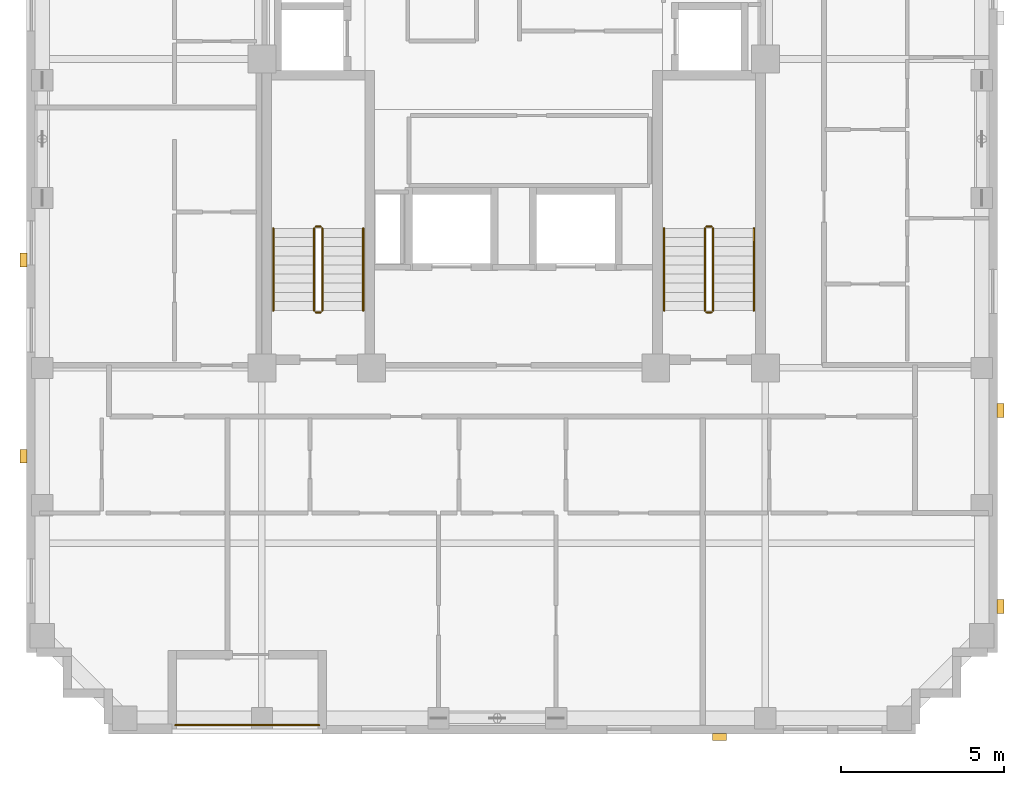
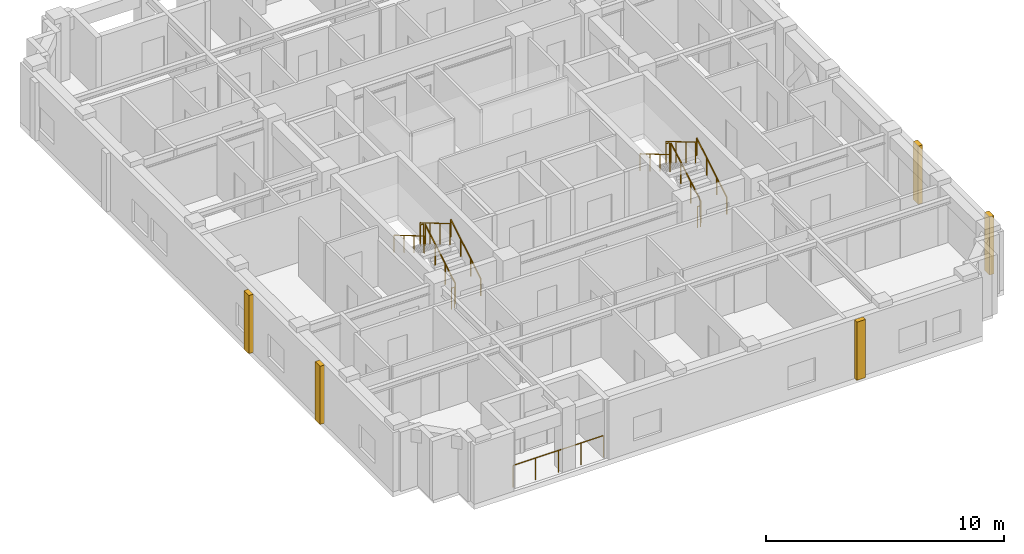
# One storey, part 9 of 10: 13 railings, 5 coverings.
"""IFC4 building model written with IfcOpenShell, lengths in metres."""

from ifc_helpers import new_model, si_unit, derived_unit, direction, frame, origin, origin_2d, place, context, subcontext, project, spatial, rectangle, circle, extrude, material, layer, layer_set, type_object, element, save


model = new_model("IFC4")

# Units and contexts
model_context = context("Model", 3, precision=1e-05, world=origin(), true_north=direction((0.0, 1.0)))
body_context = subcontext(model_context, "Body", "Model", "MODEL_VIEW")
ifc_project = project(units=[si_unit("LENGTHUNIT", "METRE"), si_unit("AREAUNIT", "SQUARE_METRE"), si_unit("VOLUMEUNIT", "CUBIC_METRE"), si_unit("PLANEANGLEUNIT", "RADIAN"), si_unit("MASSUNIT", "GRAM", prefix="KILO"), derived_unit("THERMALTRANSMITTANCEUNIT", [(si_unit("MASSUNIT", "GRAM", prefix="KILO"), 1), (si_unit("TIMEUNIT", "SECOND"), -3), (si_unit("THERMODYNAMICTEMPERATUREUNIT", "KELVIN"), -1)])], contexts=[model_context])

# Site, building, storey
site_placement = place(None, origin())
site = spatial("IfcSite", under=ifc_project, at=site_placement, CompositionType="ELEMENT")
building_placement = place(site_placement, origin())
building = spatial("IfcBuilding", under=site, at=building_placement, Name="Korrvale Station Residences", CompositionType="ELEMENT")
storey_placement = place(building_placement, frame((0.0, 0.0, 207.39990234375)))
storey = spatial("IfcBuildingStorey", under=building, at=storey_placement, Name="L60", CompositionType="ELEMENT", Elevation=207.39990234375)

# Coverings
ifc_material_1 = material(Name="Architectural precast concrete C45/55", Category="concrete")
ifc_layer = layer(ifc_material_1, 0.219970703125, Name="Architectural precast concrete C45/55")
ifc_layer_set = layer_set([ifc_layer], Name="Architectural precast concrete C45/55")
covering_type = type_object("IfcCoveringType", Name="COV-PIER-400", PredefinedType="CLADDING", material=ifc_layer_set)
for number, where, z_axis, x_axis, name in (
    (1, (31.800048828125, 3.7099609375, 0.02490234375), (0.0, 0.0, 1.0), (1.0, 0.0, 0.0), "L60 Architectural Precast Facade Pier 01"),
    (2, (10.510009765625, 12.300048828125, 0.02490234375), (0.0, 0.0, 1.0), (0.0, 1.0, 0.0), "L60 Architectural Precast Facade Pier 02"),
    (3, (10.510009765625, 18.300048828125, 0.02490234375), (0.0, 0.0, 1.0), (0.0, 1.0, 0.0), "L60 Architectural Precast Facade Pier 03"),
    (4, (40.389892578125, 13.699951171875, 0.02490234375), (0.0, 0.0, 1.0), (0.0, 1.0, 0.0), "L60 Architectural Precast Facade Pier 08"),
    (5, (40.389892578125, 7.699951171875, 0.02490234375), (0.0, 0.0, 1.0), (0.0, 1.0, 0.0), "L60 Architectural Precast Facade Pier 09"),
):
    element("IfcCovering", number, at=place(storey_placement, frame(where, z_axis=z_axis, x_axis=x_axis)), inside=storey, type_object=covering_type, Name=name, PredefinedType="CLADDING", context=body_context, shape_type="SweptSolid", body=[
        extrude(rectangle(XDim=0.419921875, YDim=0.219970703125, at=origin_2d()), origin(), (0.0, 0.0, 1.0), 2.989990234375),
    ])

# Railings
ifc_material_2 = material(Name="Powder-coated aluminium picket loggia guard", Category="aluminium")
railing_type_1 = type_object("IfcRailingType", Name="RLG-BAL-1150", PredefinedType="GUARDRAIL", material=ifc_material_2)
railing_1_placement = place(storey_placement, frame((15.14990234375, 4.070068359375, 0.0)))
element("IfcRailing", 6, at=railing_1_placement, inside=storey, type_object=railing_type_1, Name="L60 Recessed Loggia Guardrail BAL-L60-S1", PredefinedType="GUARDRAIL", context=body_context, shape_type="SweptSolid", body=[
    extrude(circle(Radius=0.02392578125, at=origin_2d()), frame((0.0, 0.0, 1.1259765625), z_axis=(1.0, 0.0, 0.0), x_axis=(0.0, 1.0, 0.0)), (0.0, 0.0, 1.0), 4.400146484375),
    extrude(circle(Radius=0.02099609375, at=origin_2d()), origin(), (0.0, 0.0, 1.0), 1.101806640625),
    extrude(circle(Radius=0.02099609375, at=origin_2d()), frame((1.10009765625, 0.0, 0.0)), (0.0, 0.0, 1.0), 1.101806640625),
    extrude(circle(Radius=0.02099609375, at=origin_2d()), frame((2.2001953125, 0.0, 0.0)), (0.0, 0.0, 1.0), 1.101806640625),
    extrude(circle(Radius=0.02099609375, at=origin_2d()), frame((3.300048828125, 0.0, 0.0)), (0.0, 0.0, 1.0), 1.101806640625),
    extrude(circle(Radius=0.02099609375, at=origin_2d()), frame((4.400146484375, 0.0, 0.0)), (0.0, 0.0, 1.0), 1.101806640625),
])
ifc_material_3 = material(Name="Brushed stainless-steel continuous stair handrail", Category="steel")
railing_type_2 = type_object("IfcRailingType", Name="RLG-SHND-900", PredefinedType="HANDRAIL", material=ifc_material_3)
railing_2_placement = place(storey_placement, frame((20.89990234375, 16.75, 0.1650390625)))
element("IfcRailing", 7, at=railing_2_placement, inside=storey, type_object=railing_type_2, Name="L60 ST-1 stair handrail 1", PredefinedType="HANDRAIL", context=body_context, shape_type="SweptSolid", body=[
    extrude(circle(Radius=0.02392578125, at=origin_2d()), frame((0.0, 0.0, 0.8759765625), z_axis=(0.0, 0.86152411907, 0.507716645641), x_axis=(-1.0, 0.0, 0.0)), (0.0, 0.0, 1.0), 2.925048828125),
    extrude(circle(Radius=0.02099609375, at=origin_2d()), origin(), (0.0, 0.0, 1.0), 0.851806640625),
    extrude(circle(Radius=0.02099609375, at=origin_2d()), frame((0.0, 0.840087890625, 0.4951171875)), (0.0, 0.0, 1.0), 0.851806640625),
    extrude(circle(Radius=0.02099609375, at=origin_2d()), frame((0.0, 1.679931640625, 0.989990234375)), (0.0, 0.0, 1.0), 0.851806640625),
    extrude(circle(Radius=0.02099609375, at=origin_2d()), frame((0.0, 2.52001953125, 1.485107421875)), (0.0, 0.0, 1.0), 0.851806640625),
])
railing_3_placement = place(storey_placement, frame((18.14990234375, 19.27001953125, 1.815185546875)))
element("IfcRailing", 8, at=railing_3_placement, inside=storey, type_object=railing_type_2, Name="L60 ST-1 stair handrail 2", PredefinedType="HANDRAIL", context=body_context, shape_type="SweptSolid", body=[
    extrude(circle(Radius=0.02392578125, at=origin_2d()), frame((0.0, 0.0, 0.8759765625), z_axis=(0.0, -0.861560626758, 0.507654692109), x_axis=(1.0, 0.0, 0.0)), (0.0, 0.0, 1.0), 2.925048828125),
    extrude(circle(Radius=0.02099609375, at=origin_2d()), origin(), (0.0, 0.0, 1.0), 0.851806640625),
    extrude(circle(Radius=0.02099609375, at=origin_2d()), frame((0.0, -0.840087890625, 0.494873046875)), (0.0, 0.0, 1.0), 0.851806640625),
    extrude(circle(Radius=0.02099609375, at=origin_2d()), frame((0.0, -1.679931640625, 0.989990234375)), (0.0, 0.0, 1.0), 0.851806640625),
    extrude(circle(Radius=0.02099609375, at=origin_2d()), frame((0.0, -2.52001953125, 1.48486328125)), (0.0, 0.0, 1.0), 0.851806640625),
])
railing_4_placement = place(storey_placement, frame((32.85009765625, 16.75, 0.1650390625)))
element("IfcRailing", 9, at=railing_4_placement, inside=storey, type_object=railing_type_2, Name="L60 ST-2 stair handrail 1", PredefinedType="HANDRAIL", context=body_context, shape_type="SweptSolid", body=[
    extrude(circle(Radius=0.02392578125, at=origin_2d()), frame((0.0, 0.0, 0.8759765625), z_axis=(0.0, 0.86152411907, 0.507716645641), x_axis=(-1.0, 0.0, 0.0)), (0.0, 0.0, 1.0), 2.925048828125),
    extrude(circle(Radius=0.02099609375, at=origin_2d()), origin(), (0.0, 0.0, 1.0), 0.851806640625),
    extrude(circle(Radius=0.02099609375, at=origin_2d()), frame((0.0, 0.840087890625, 0.4951171875)), (0.0, 0.0, 1.0), 0.851806640625),
    extrude(circle(Radius=0.02099609375, at=origin_2d()), frame((0.0, 1.679931640625, 0.989990234375)), (0.0, 0.0, 1.0), 0.851806640625),
    extrude(circle(Radius=0.02099609375, at=origin_2d()), frame((0.0, 2.52001953125, 1.485107421875)), (0.0, 0.0, 1.0), 0.851806640625),
])
railing_5_placement = place(storey_placement, frame((30.10009765625, 19.27001953125, 1.815185546875)))
element("IfcRailing", 10, at=railing_5_placement, inside=storey, type_object=railing_type_2, Name="L60 ST-2 stair handrail 2", PredefinedType="HANDRAIL", context=body_context, shape_type="SweptSolid", body=[
    extrude(circle(Radius=0.02392578125, at=origin_2d()), frame((0.0, 0.0, 0.8759765625), z_axis=(0.0, -0.861560626758, 0.507654692109), x_axis=(1.0, 0.0, 0.0)), (0.0, 0.0, 1.0), 2.925048828125),
    extrude(circle(Radius=0.02099609375, at=origin_2d()), origin(), (0.0, 0.0, 1.0), 0.851806640625),
    extrude(circle(Radius=0.02099609375, at=origin_2d()), frame((0.0, -0.840087890625, 0.494873046875)), (0.0, 0.0, 1.0), 0.851806640625),
    extrude(circle(Radius=0.02099609375, at=origin_2d()), frame((0.0, -1.679931640625, 0.989990234375)), (0.0, 0.0, 1.0), 0.851806640625),
    extrude(circle(Radius=0.02099609375, at=origin_2d()), frame((0.0, -2.52001953125, 1.48486328125)), (0.0, 0.0, 1.0), 0.851806640625),
])
ifc_material_4 = material(Name="Galvanised painted tubular steel stair guard", Category="steel")
railing_type_3 = type_object("IfcRailingType", Name="RLG-STR-1100", PredefinedType="GUARDRAIL", material=ifc_material_4)
railing_6_placement = place(storey_placement, frame((19.64990234375, 16.75, 0.1650390625)))
element("IfcRailing", 11, at=railing_6_placement, inside=storey, type_object=railing_type_3, Name="L60 ST-1 stair guard 1", PredefinedType="GUARDRAIL", context=body_context, shape_type="SweptSolid", body=[
    extrude(circle(Radius=0.02392578125, at=origin_2d()), frame((0.0, 0.0, 1.076171875), z_axis=(0.0, 0.86152411907, 0.507716645641), x_axis=(-1.0, 0.0, 0.0)), (0.0, 0.0, 1.0), 2.925048828125),
    extrude(circle(Radius=0.02099609375, at=origin_2d()), origin(), (0.0, 0.0, 1.0), 1.052001953125),
    extrude(circle(Radius=0.02099609375, at=origin_2d()), frame((0.0, 0.840087890625, 0.4951171875)), (0.0, 0.0, 1.0), 1.052001953125),
    extrude(circle(Radius=0.02099609375, at=origin_2d()), frame((0.0, 1.679931640625, 0.989990234375)), (0.0, 0.0, 1.0), 1.052001953125),
    extrude(circle(Radius=0.02099609375, at=origin_2d()), frame((0.0, 2.52001953125, 1.485107421875)), (0.0, 0.0, 1.0), 1.052001953125),
])
railing_7_placement = place(storey_placement, frame((19.60009765625, 19.320068359375, 1.650146484375)))
element("IfcRailing", 12, at=railing_7_placement, inside=storey, type_object=railing_type_3, Name="L60 ST-1 stair guard 2", PredefinedType="GUARDRAIL", context=body_context, shape_type="SweptSolid", body=[
    extrude(circle(Radius=0.02392578125, at=origin_2d()), frame((0.0, 0.0, 1.076171875), z_axis=(-1.0, 0.0, 0.0), x_axis=(0.0, -1.0, 0.0)), (0.0, 0.0, 1.0), 0.150146484375),
    extrude(circle(Radius=0.02099609375, at=origin_2d()), origin(), (0.0, 0.0, 1.0), 1.052001953125),
    extrude(circle(Radius=0.02099609375, at=origin_2d()), frame((-0.150146484375, 0.0, 0.0)), (0.0, 0.0, 1.0), 1.052001953125),
])
railing_8_placement = place(storey_placement, frame((19.39990234375, 19.27001953125, 1.815185546875)))
element("IfcRailing", 13, at=railing_8_placement, inside=storey, type_object=railing_type_3, Name="L60 ST-1 stair guard 3", PredefinedType="GUARDRAIL", context=body_context, shape_type="SweptSolid", body=[
    extrude(circle(Radius=0.02392578125, at=origin_2d()), frame((0.0, 0.0, 1.076171875), z_axis=(0.0, -0.861560626758, 0.507654692109), x_axis=(1.0, 0.0, 0.0)), (0.0, 0.0, 1.0), 2.925048828125),
    extrude(circle(Radius=0.02099609375, at=origin_2d()), origin(), (0.0, 0.0, 1.0), 1.052001953125),
    extrude(circle(Radius=0.02099609375, at=origin_2d()), frame((0.0, -0.840087890625, 0.494873046875)), (0.0, 0.0, 1.0), 1.052001953125),
    extrude(circle(Radius=0.02099609375, at=origin_2d()), frame((0.0, -1.679931640625, 0.989990234375)), (0.0, 0.0, 1.0), 1.052001953125),
    extrude(circle(Radius=0.02099609375, at=origin_2d()), frame((0.0, -2.52001953125, 1.48486328125)), (0.0, 0.0, 1.0), 1.052001953125),
])
railing_9_placement = place(storey_placement, frame((19.60009765625, 16.699951171875, 0.0)))
element("IfcRailing", 14, at=railing_9_placement, inside=storey, type_object=railing_type_3, Name="L60 ST-1 stair guard 4", PredefinedType="GUARDRAIL", context=body_context, shape_type="SweptSolid", body=[
    extrude(circle(Radius=0.02392578125, at=origin_2d()), frame((0.0, 0.0, 1.076171875), z_axis=(-1.0, 0.0, 0.0), x_axis=(0.0, -1.0, 0.0)), (0.0, 0.0, 1.0), 0.150146484375),
    extrude(circle(Radius=0.02099609375, at=origin_2d()), origin(), (0.0, 0.0, 1.0), 1.052001953125),
    extrude(circle(Radius=0.02099609375, at=origin_2d()), frame((-0.150146484375, 0.0, 0.0)), (0.0, 0.0, 1.0), 1.052001953125),
])
railing_10_placement = place(storey_placement, frame((31.60009765625, 16.75, 0.1650390625)))
element("IfcRailing", 15, at=railing_10_placement, inside=storey, type_object=railing_type_3, Name="L60 ST-2 stair guard 1", PredefinedType="GUARDRAIL", context=body_context, shape_type="SweptSolid", body=[
    extrude(circle(Radius=0.02392578125, at=origin_2d()), frame((0.0, 0.0, 1.076171875), z_axis=(0.0, 0.86152411907, 0.507716645641), x_axis=(-1.0, 0.0, 0.0)), (0.0, 0.0, 1.0), 2.925048828125),
    extrude(circle(Radius=0.02099609375, at=origin_2d()), origin(), (0.0, 0.0, 1.0), 1.052001953125),
    extrude(circle(Radius=0.02099609375, at=origin_2d()), frame((0.0, 0.840087890625, 0.4951171875)), (0.0, 0.0, 1.0), 1.052001953125),
    extrude(circle(Radius=0.02099609375, at=origin_2d()), frame((0.0, 1.679931640625, 0.989990234375)), (0.0, 0.0, 1.0), 1.052001953125),
    extrude(circle(Radius=0.02099609375, at=origin_2d()), frame((0.0, 2.52001953125, 1.485107421875)), (0.0, 0.0, 1.0), 1.052001953125),
])
railing_11_placement = place(storey_placement, frame((31.550048828125, 19.320068359375, 1.650146484375)))
element("IfcRailing", 16, at=railing_11_placement, inside=storey, type_object=railing_type_3, Name="L60 ST-2 stair guard 2", PredefinedType="GUARDRAIL", context=body_context, shape_type="SweptSolid", body=[
    extrude(circle(Radius=0.02392578125, at=origin_2d()), frame((0.0, 0.0, 1.076171875), z_axis=(-1.0, 0.0, 0.0), x_axis=(0.0, -1.0, 0.0)), (0.0, 0.0, 1.0), 0.150146484375),
    extrude(circle(Radius=0.02099609375, at=origin_2d()), origin(), (0.0, 0.0, 1.0), 1.052001953125),
    extrude(circle(Radius=0.02099609375, at=origin_2d()), frame((-0.150146484375, 0.0, 0.0)), (0.0, 0.0, 1.0), 1.052001953125),
])
railing_12_placement = place(storey_placement, frame((31.35009765625, 19.27001953125, 1.815185546875)))
element("IfcRailing", 17, at=railing_12_placement, inside=storey, type_object=railing_type_3, Name="L60 ST-2 stair guard 3", PredefinedType="GUARDRAIL", context=body_context, shape_type="SweptSolid", body=[
    extrude(circle(Radius=0.02392578125, at=origin_2d()), frame((0.0, 0.0, 1.076171875), z_axis=(0.0, -0.861560626758, 0.507654692109), x_axis=(1.0, 0.0, 0.0)), (0.0, 0.0, 1.0), 2.925048828125),
    extrude(circle(Radius=0.02099609375, at=origin_2d()), origin(), (0.0, 0.0, 1.0), 1.052001953125),
    extrude(circle(Radius=0.02099609375, at=origin_2d()), frame((0.0, -0.840087890625, 0.494873046875)), (0.0, 0.0, 1.0), 1.052001953125),
    extrude(circle(Radius=0.02099609375, at=origin_2d()), frame((0.0, -1.679931640625, 0.989990234375)), (0.0, 0.0, 1.0), 1.052001953125),
    extrude(circle(Radius=0.02099609375, at=origin_2d()), frame((0.0, -2.52001953125, 1.48486328125)), (0.0, 0.0, 1.0), 1.052001953125),
])
railing_13_placement = place(storey_placement, frame((31.550048828125, 16.699951171875, 0.0)))
element("IfcRailing", 18, at=railing_13_placement, inside=storey, type_object=railing_type_3, Name="L60 ST-2 stair guard 4", PredefinedType="GUARDRAIL", context=body_context, shape_type="SweptSolid", body=[
    extrude(circle(Radius=0.02392578125, at=origin_2d()), frame((0.0, 0.0, 1.076171875), z_axis=(-1.0, 0.0, 0.0), x_axis=(0.0, -1.0, 0.0)), (0.0, 0.0, 1.0), 0.150146484375),
    extrude(circle(Radius=0.02099609375, at=origin_2d()), origin(), (0.0, 0.0, 1.0), 1.052001953125),
    extrude(circle(Radius=0.02099609375, at=origin_2d()), frame((-0.150146484375, 0.0, 0.0)), (0.0, 0.0, 1.0), 1.052001953125),
])

save(model, "model.ifc")
